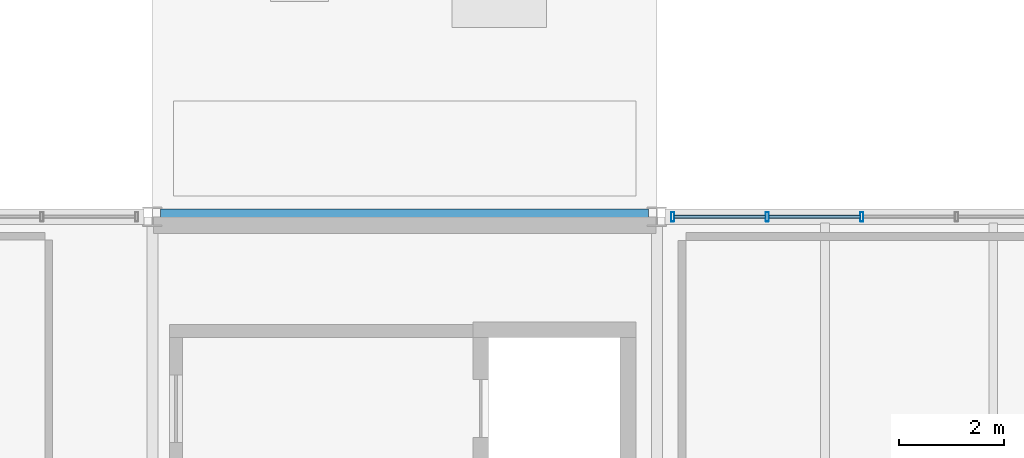
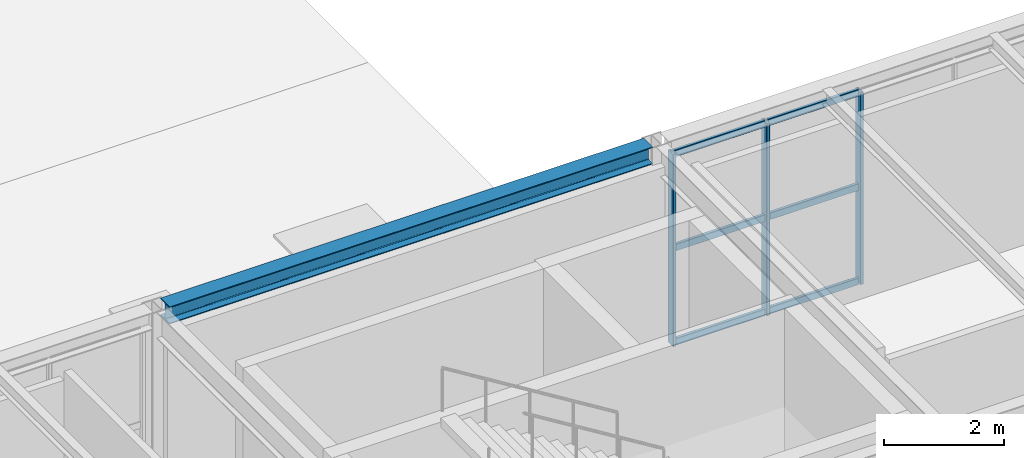
# One storey, part 36 of 170: 9 members, 1 beam, 1 element without a shape of its own.
"""IFC4 building model written with IfcOpenShell, lengths in metres."""

from ifc_helpers import new_model, si_unit, direction, frame, origin, origin_2d, place, context, subcontext, project, spatial, hollow_rectangle, i_section, extrude, material, material_profile, profile_set, type_object, element, aggregate, save


model = new_model("IFC4")

# Units and contexts
model_context = context("Model", 3, precision=1e-05, world=origin(), true_north=direction((0.0, 1.0)))
body_context = subcontext(model_context, "Body", "Model", "MODEL_VIEW")
ifc_project = project(units=[si_unit("LENGTHUNIT", "METRE"), si_unit("AREAUNIT", "SQUARE_METRE"), si_unit("VOLUMEUNIT", "CUBIC_METRE"), si_unit("PLANEANGLEUNIT", "RADIAN"), si_unit("MASSUNIT", "GRAM", prefix="KILO")], contexts=[model_context])

# Site, building, storey
site_placement = place(None, origin())
site = spatial("IfcSite", under=ifc_project, at=site_placement, CompositionType="ELEMENT")
building_placement = place(site_placement, origin())
building = spatial("IfcBuilding", under=site, at=building_placement, Name="Coralgate Yard Interchange", CompositionType="ELEMENT")
storey_placement = place(building_placement, frame((0.0, 0.0, 6.0)))
storey = spatial("IfcBuildingStorey", under=building, at=storey_placement, Name="L01", CompositionType="ELEMENT", Elevation=6.0)

# Beam
ifc_material_1 = material(Name="Structural steel S355J2", Category="steel")
ifc_material_profile_1 = material_profile(ifc_material_1, i_section(OverallWidth=0.300048828125, OverallDepth=0.35009765625, WebThickness=0.010009765625, FlangeThickness=0.017578125, FilletRadius=0.027099609375, at=origin_2d()), Name="HEA 360")
ifc_profile_set_1 = profile_set([ifc_material_profile_1], Name="Structural steel S355J2")
beam_type = type_object("IfcBeamType", Name="BM-SP-1", PredefinedType="SPANDREL", material=ifc_profile_set_1)
beam_placement = place(storey_placement, frame((48.15625, 19.199951171875, 4.074951171875), z_axis=(1.0, 0.0, 0.0), x_axis=(0.0, 1.0, 0.0)))
element("IfcBeam", 1, at=beam_placement, inside=storey, type_object=beam_type, Name="L01 primary grid beam Y2 X5-6", PredefinedType="SPANDREL", context=body_context, shape_type="SweptSolid", body=[
    extrude(i_section(OverallWidth=0.300048828125, OverallDepth=0.35009765625, WebThickness=0.010009765625, FlangeThickness=0.017578125, FilletRadius=0.027099609375, at=origin_2d()), origin(), (0.0, 0.0, 1.0), 9.287353515625),
])

# Curtain wall, members
ifc_material_2 = material(Name="Anodised coastal aluminium and solar-control low-E glass", Category="aluminium")
curtain_wall_type = type_object("IfcCurtainWallType", Name="CW-CW-L01-B", PredefinedType="NOTDEFINED", material=ifc_material_2)
curtain_wall_placement = place(storey_placement, origin())
curtain_wall = element("IfcCurtainWall", 2, at=curtain_wall_placement, inside=storey, type_object=curtain_wall_type, Name="L01 unitised curtain wall CW-L01-N-06-01", PredefinedType="NOTDEFINED")
ifc_material_3 = material(Name="Anodised coastal aluminium 6063-T6", Category="aluminium")
ifc_material_profile_2 = material_profile(ifc_material_3, hollow_rectangle(XDim=0.06005859375, YDim=0.179931640625, WallThickness=0.00390625, InnerFilletRadius=0.00390625, OuterFilletRadius=0.008056640625, at=origin_2d()), Name="ALU 60x180x4")
ifc_profile_set_2 = profile_set([ifc_material_profile_2], Name="Anodised coastal aluminium 6063-T6")
member_type_1 = type_object("IfcMemberType", Name="MB-MUL-180", PredefinedType="MULLION", material=ifc_profile_set_2)
member_1_placement = place(storey_placement, frame((57.89990234375, 19.199951171875, 0.0), z_axis=(0.0, 0.0, 1.0), x_axis=(1.0, 0.0, 0.0)))
member_1 = element("IfcMember", 3, at=member_1_placement, type_object=member_type_1, Name="CW-L01-N-06-01 vertical mullion 1", PredefinedType="MULLION", context=body_context, shape_type="SweptSolid", body=[
    extrude(hollow_rectangle(XDim=0.06005859375, YDim=0.179931640625, WallThickness=0.00390625, InnerFilletRadius=0.00390625, OuterFilletRadius=0.008056640625, at=origin_2d()), origin(), (0.0, 0.0, 1.0), 3.89990234375),
])
member_2_placement = place(storey_placement, frame((59.699951171875, 19.199951171875, 0.0), z_axis=(0.0, 0.0, 1.0), x_axis=(1.0, 0.0, 0.0)))
member_2 = element("IfcMember", 4, at=member_2_placement, type_object=member_type_1, Name="CW-L01-N-06-01 vertical mullion 2", PredefinedType="MULLION", context=body_context, shape_type="SweptSolid", body=[
    extrude(hollow_rectangle(XDim=0.06005859375, YDim=0.179931640625, WallThickness=0.00390625, InnerFilletRadius=0.00390625, OuterFilletRadius=0.008056640625, at=origin_2d()), origin(), (0.0, 0.0, 1.0), 3.89990234375),
])
member_3_placement = place(storey_placement, frame((61.5, 19.199951171875, 0.0), z_axis=(0.0, 0.0, 1.0), x_axis=(1.0, 0.0, 0.0)))
member_3 = element("IfcMember", 5, at=member_3_placement, type_object=member_type_1, Name="CW-L01-N-06-01 vertical mullion 3", PredefinedType="MULLION", context=body_context, shape_type="SweptSolid", body=[
    extrude(hollow_rectangle(XDim=0.06005859375, YDim=0.179931640625, WallThickness=0.00390625, InnerFilletRadius=0.00390625, OuterFilletRadius=0.008056640625, at=origin_2d()), origin(), (0.0, 0.0, 1.0), 3.89990234375),
])
ifc_material_profile_3 = material_profile(ifc_material_3, hollow_rectangle(XDim=0.06005859375, YDim=0.139892578125, WallThickness=0.00341796875, InnerFilletRadius=0.00341796875, OuterFilletRadius=0.007080078125, at=origin_2d()), Name="ALU 60x140x3.5")
ifc_profile_set_3 = profile_set([ifc_material_profile_3], Name="Anodised coastal aluminium 6063-T6")
member_type_2 = type_object("IfcMemberType", Name="MB-TRN-140", PredefinedType="USERDEFINED", material=ifc_profile_set_3)
member_4_placement = place(storey_placement, frame((57.929931640625, 19.199951171875, 0.034912109375), z_axis=(1.0, 0.0, 0.0), x_axis=(0.0, 1.0, 0.0)))
member_4 = element("IfcMember", 6, at=member_4_placement, type_object=member_type_2, Name="CW-L01-N-06-01 horizontal transom 1-1", ObjectType="TRANSOM", PredefinedType="USERDEFINED", context=body_context, shape_type="SweptSolid", body=[
    extrude(hollow_rectangle(XDim=0.06005859375, YDim=0.139892578125, WallThickness=0.00341796875, InnerFilletRadius=0.00341796875, OuterFilletRadius=0.007080078125, at=origin_2d()), origin(), (0.0, 0.0, 1.0), 1.739990234375),
])
member_5_placement = place(storey_placement, frame((57.929931640625, 19.199951171875, 1.949951171875), z_axis=(1.0, 0.0, 0.0), x_axis=(0.0, 1.0, 0.0)))
member_5 = element("IfcMember", 7, at=member_5_placement, type_object=member_type_2, Name="CW-L01-N-06-01 horizontal transom 1-2", ObjectType="TRANSOM", PredefinedType="USERDEFINED", context=body_context, shape_type="SweptSolid", body=[
    extrude(hollow_rectangle(XDim=0.06005859375, YDim=0.139892578125, WallThickness=0.00341796875, InnerFilletRadius=0.00341796875, OuterFilletRadius=0.007080078125, at=origin_2d()), origin(), (0.0, 0.0, 1.0), 1.739990234375),
])
member_6_placement = place(storey_placement, frame((57.929931640625, 19.199951171875, 3.864990234375), z_axis=(1.0, 0.0, 0.0), x_axis=(0.0, 1.0, 0.0)))
member_6 = element("IfcMember", 8, at=member_6_placement, type_object=member_type_2, Name="CW-L01-N-06-01 horizontal transom 1-3", ObjectType="TRANSOM", PredefinedType="USERDEFINED", context=body_context, shape_type="SweptSolid", body=[
    extrude(hollow_rectangle(XDim=0.06005859375, YDim=0.139892578125, WallThickness=0.00341796875, InnerFilletRadius=0.00341796875, OuterFilletRadius=0.007080078125, at=origin_2d()), origin(), (0.0, 0.0, 1.0), 1.739990234375),
])
member_7_placement = place(storey_placement, frame((59.72998046875, 19.199951171875, 0.034912109375), z_axis=(1.0, 0.0, 0.0), x_axis=(0.0, 1.0, 0.0)))
member_7 = element("IfcMember", 9, at=member_7_placement, type_object=member_type_2, Name="CW-L01-N-06-01 horizontal transom 2-1", ObjectType="TRANSOM", PredefinedType="USERDEFINED", context=body_context, shape_type="SweptSolid", body=[
    extrude(hollow_rectangle(XDim=0.06005859375, YDim=0.139892578125, WallThickness=0.00341796875, InnerFilletRadius=0.00341796875, OuterFilletRadius=0.007080078125, at=origin_2d()), origin(), (0.0, 0.0, 1.0), 1.739990234375),
])
member_8_placement = place(storey_placement, frame((59.72998046875, 19.199951171875, 1.949951171875), z_axis=(1.0, 0.0, 0.0), x_axis=(0.0, 1.0, 0.0)))
member_8 = element("IfcMember", 10, at=member_8_placement, type_object=member_type_2, Name="CW-L01-N-06-01 horizontal transom 2-2", ObjectType="TRANSOM", PredefinedType="USERDEFINED", context=body_context, shape_type="SweptSolid", body=[
    extrude(hollow_rectangle(XDim=0.06005859375, YDim=0.139892578125, WallThickness=0.00341796875, InnerFilletRadius=0.00341796875, OuterFilletRadius=0.007080078125, at=origin_2d()), origin(), (0.0, 0.0, 1.0), 1.739990234375),
])
member_9_placement = place(storey_placement, frame((59.72998046875, 19.199951171875, 3.864990234375), z_axis=(1.0, 0.0, 0.0), x_axis=(0.0, 1.0, 0.0)))
member_9 = element("IfcMember", 11, at=member_9_placement, type_object=member_type_2, Name="CW-L01-N-06-01 horizontal transom 2-3", ObjectType="TRANSOM", PredefinedType="USERDEFINED", context=body_context, shape_type="SweptSolid", body=[
    extrude(hollow_rectangle(XDim=0.06005859375, YDim=0.139892578125, WallThickness=0.00341796875, InnerFilletRadius=0.00341796875, OuterFilletRadius=0.007080078125, at=origin_2d()), origin(), (0.0, 0.0, 1.0), 1.739990234375),
])
aggregate(curtain_wall, [member_1, member_2, member_3, member_4, member_5, member_6, member_7, member_8, member_9])

save(model, "model.ifc")
